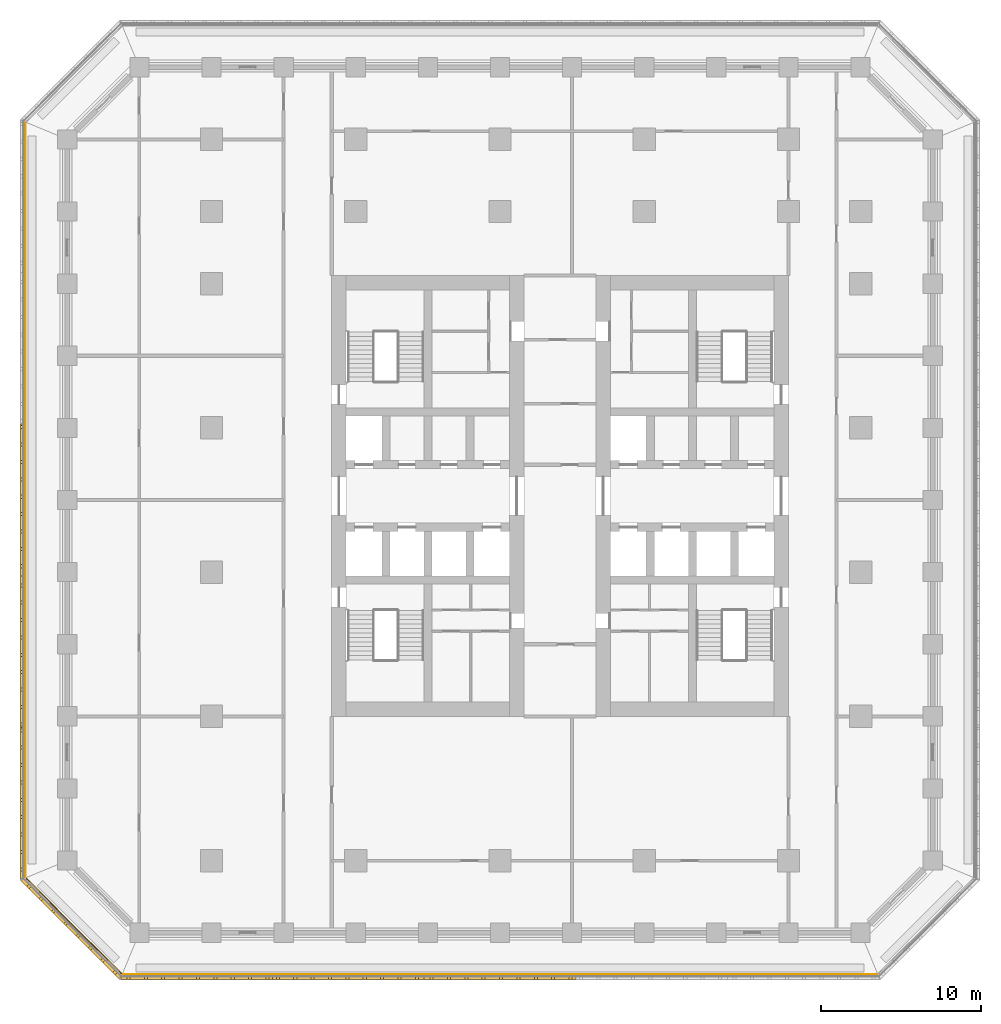
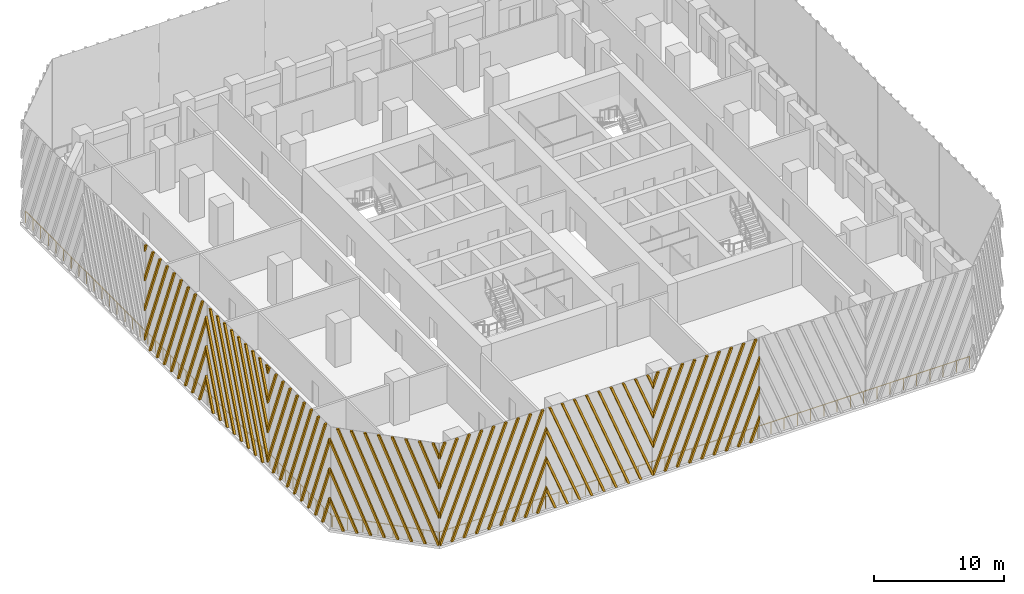
# One storey, part 8 of 17: 7 shading devices, 3 railings.
"""IFC4 building model written with IfcOpenShell, lengths in metres."""

from ifc_helpers import new_model, si_unit, direction, frame, origin, origin_2d, place, context, subcontext, project, spatial, polyline, circle, outline, extrude, source, transform, mapped, material, type_object, element, save


model = new_model("IFC4")

# Units and contexts
model_context = context("Model", 3, precision=1e-05, world=origin(), true_north=direction((0.0, 1.0)))
body_context = subcontext(model_context, "Body", "Model", "MODEL_VIEW")
ifc_project = project(units=[si_unit("LENGTHUNIT", "METRE"), si_unit("AREAUNIT", "SQUARE_METRE"), si_unit("VOLUMEUNIT", "CUBIC_METRE"), si_unit("PLANEANGLEUNIT", "RADIAN"), si_unit("MASSUNIT", "GRAM", prefix="KILO")], contexts=[model_context])

# Site, building, storey
site_placement = place(None, origin())
site = spatial("IfcSite", under=ifc_project, at=site_placement, CompositionType="ELEMENT")
building_placement = place(site_placement, origin())
building = spatial("IfcBuilding", under=site, at=building_placement, Name="Corbel Stack Research Tower", CompositionType="ELEMENT")
storey_placement = place(building_placement, frame((0.0, 0.0, 141.300048828125)))
storey = spatial("IfcBuildingStorey", under=building, at=storey_placement, Name="L32", CompositionType="ELEMENT", Elevation=141.300048828125)

# Railings
ifc_material_1 = material(Name="Powder-coated steel guard", Category="steel")
railing_type = type_object("IfcRailingType", Name="Steel and glass guard 1100", PredefinedType="GUARDRAIL", material=ifc_material_1)
railing_1_placement = place(storey_placement, frame((-23.50537109375, -25.10009765625, 0.0)))
element("IfcRailing", 1, at=railing_1_placement, inside=storey, type_object=railing_type, Name="Loggia guard L32 S", PredefinedType="GUARDRAIL", context=body_context, shape_type="SweptSolid", body=[
    extrude(circle(Radius=0.02392578125, at=origin_2d()), frame((0.0, 0.0, 1.076171875), z_axis=(1.0, 0.0, 0.0), x_axis=(0.0, 1.0, 0.0)), (0.0, 0.0, 1.0), 47.0107421875),
    extrude(circle(Radius=0.02099609375, at=origin_2d()), origin(), (0.0, 0.0, 1.0), 1.052001953125),
    extrude(circle(Radius=0.02099609375, at=origin_2d()), frame((1.17529296875, 0.0, 0.0)), (0.0, 0.0, 1.0), 1.052001953125),
    extrude(circle(Radius=0.02099609375, at=origin_2d()), frame((2.3505859375, 0.0, 0.0)), (0.0, 0.0, 1.0), 1.052001953125),
    extrude(circle(Radius=0.02099609375, at=origin_2d()), frame((3.52587890625, 0.0, 0.0)), (0.0, 0.0, 1.0), 1.052001953125),
    extrude(circle(Radius=0.02099609375, at=origin_2d()), frame((4.701171875, 0.0, 0.0)), (0.0, 0.0, 1.0), 1.052001953125),
    extrude(circle(Radius=0.02099609375, at=origin_2d()), frame((5.87646484375, 0.0, 0.0)), (0.0, 0.0, 1.0), 1.052001953125),
    extrude(circle(Radius=0.02099609375, at=origin_2d()), frame((7.051513671875, 0.0, 0.0)), (0.0, 0.0, 1.0), 1.052001953125),
    extrude(circle(Radius=0.02099609375, at=origin_2d()), frame((8.226806640625, 0.0, 0.0)), (0.0, 0.0, 1.0), 1.052001953125),
    extrude(circle(Radius=0.02099609375, at=origin_2d()), frame((9.402099609375, 0.0, 0.0)), (0.0, 0.0, 1.0), 1.052001953125),
    extrude(circle(Radius=0.02099609375, at=origin_2d()), frame((10.577392578125, 0.0, 0.0)), (0.0, 0.0, 1.0), 1.052001953125),
    extrude(circle(Radius=0.02099609375, at=origin_2d()), frame((11.752685546875, 0.0, 0.0)), (0.0, 0.0, 1.0), 1.052001953125),
    extrude(circle(Radius=0.02099609375, at=origin_2d()), frame((12.927978515625, 0.0, 0.0)), (0.0, 0.0, 1.0), 1.052001953125),
    extrude(circle(Radius=0.02099609375, at=origin_2d()), frame((14.103271484375, 0.0, 0.0)), (0.0, 0.0, 1.0), 1.052001953125),
    extrude(circle(Radius=0.02099609375, at=origin_2d()), frame((15.278564453125, 0.0, 0.0)), (0.0, 0.0, 1.0), 1.052001953125),
    extrude(circle(Radius=0.02099609375, at=origin_2d()), frame((16.453857421875, 0.0, 0.0)), (0.0, 0.0, 1.0), 1.052001953125),
    extrude(circle(Radius=0.02099609375, at=origin_2d()), frame((17.62890625, 0.0, 0.0)), (0.0, 0.0, 1.0), 1.052001953125),
    extrude(circle(Radius=0.02099609375, at=origin_2d()), frame((18.80419921875, 0.0, 0.0)), (0.0, 0.0, 1.0), 1.052001953125),
    extrude(circle(Radius=0.02099609375, at=origin_2d()), frame((19.9794921875, 0.0, 0.0)), (0.0, 0.0, 1.0), 1.052001953125),
    extrude(circle(Radius=0.02099609375, at=origin_2d()), frame((21.15478515625, 0.0, 0.0)), (0.0, 0.0, 1.0), 1.052001953125),
    extrude(circle(Radius=0.02099609375, at=origin_2d()), frame((22.330078125, 0.0, 0.0)), (0.0, 0.0, 1.0), 1.052001953125),
    extrude(circle(Radius=0.02099609375, at=origin_2d()), frame((23.50537109375, 0.0, 0.0)), (0.0, 0.0, 1.0), 1.052001953125),
    extrude(circle(Radius=0.02099609375, at=origin_2d()), frame((24.6806640625, 0.0, 0.0)), (0.0, 0.0, 1.0), 1.052001953125),
    extrude(circle(Radius=0.02099609375, at=origin_2d()), frame((25.85595703125, 0.0, 0.0)), (0.0, 0.0, 1.0), 1.052001953125),
    extrude(circle(Radius=0.02099609375, at=origin_2d()), frame((27.03125, 0.0, 0.0)), (0.0, 0.0, 1.0), 1.052001953125),
    extrude(circle(Radius=0.02099609375, at=origin_2d()), frame((28.20654296875, 0.0, 0.0)), (0.0, 0.0, 1.0), 1.052001953125),
    extrude(circle(Radius=0.02099609375, at=origin_2d()), frame((29.3818359375, 0.0, 0.0)), (0.0, 0.0, 1.0), 1.052001953125),
    extrude(circle(Radius=0.02099609375, at=origin_2d()), frame((30.556884765625, 0.0, 0.0)), (0.0, 0.0, 1.0), 1.052001953125),
    extrude(circle(Radius=0.02099609375, at=origin_2d()), frame((31.732177734375, 0.0, 0.0)), (0.0, 0.0, 1.0), 1.052001953125),
    extrude(circle(Radius=0.02099609375, at=origin_2d()), frame((32.907470703125, 0.0, 0.0)), (0.0, 0.0, 1.0), 1.052001953125),
    extrude(circle(Radius=0.02099609375, at=origin_2d()), frame((34.082763671875, 0.0, 0.0)), (0.0, 0.0, 1.0), 1.052001953125),
    extrude(circle(Radius=0.02099609375, at=origin_2d()), frame((35.258056640625, 0.0, 0.0)), (0.0, 0.0, 1.0), 1.052001953125),
    extrude(circle(Radius=0.02099609375, at=origin_2d()), frame((36.433349609375, 0.0, 0.0)), (0.0, 0.0, 1.0), 1.052001953125),
    extrude(circle(Radius=0.02099609375, at=origin_2d()), frame((37.608642578125, 0.0, 0.0)), (0.0, 0.0, 1.0), 1.052001953125),
    extrude(circle(Radius=0.02099609375, at=origin_2d()), frame((38.783935546875, 0.0, 0.0)), (0.0, 0.0, 1.0), 1.052001953125),
    extrude(circle(Radius=0.02099609375, at=origin_2d()), frame((39.959228515625, 0.0, 0.0)), (0.0, 0.0, 1.0), 1.052001953125),
    extrude(circle(Radius=0.02099609375, at=origin_2d()), frame((41.13427734375, 0.0, 0.0)), (0.0, 0.0, 1.0), 1.052001953125),
    extrude(circle(Radius=0.02099609375, at=origin_2d()), frame((42.3095703125, 0.0, 0.0)), (0.0, 0.0, 1.0), 1.052001953125),
    extrude(circle(Radius=0.02099609375, at=origin_2d()), frame((43.48486328125, 0.0, 0.0)), (0.0, 0.0, 1.0), 1.052001953125),
    extrude(circle(Radius=0.02099609375, at=origin_2d()), frame((44.66015625, 0.0, 0.0)), (0.0, 0.0, 1.0), 1.052001953125),
    extrude(circle(Radius=0.02099609375, at=origin_2d()), frame((45.83544921875, 0.0, 0.0)), (0.0, 0.0, 1.0), 1.052001953125),
    extrude(circle(Radius=0.02099609375, at=origin_2d()), frame((47.0107421875, 0.0, 0.0)), (0.0, 0.0, 1.0), 1.052001953125),
])
railing_2_placement = place(storey_placement, frame((-29.60009765625, 28.00537109375, 0.0)))
element("IfcRailing", 2, at=railing_2_placement, inside=storey, type_object=railing_type, Name="Loggia guard L32 W", PredefinedType="GUARDRAIL", context=body_context, shape_type="SweptSolid", body=[
    extrude(circle(Radius=0.02392578125, at=origin_2d()), frame((0.0, 0.0, 1.076171875), z_axis=(0.0, -1.0, 0.0), x_axis=(1.0, 0.0, 0.0)), (0.0, 0.0, 1.0), 47.0107421875),
    extrude(circle(Radius=0.02099609375, at=origin_2d()), origin(), (0.0, 0.0, 1.0), 1.052001953125),
    extrude(circle(Radius=0.02099609375, at=origin_2d()), frame((0.0, -1.17529296875, 0.0)), (0.0, 0.0, 1.0), 1.052001953125),
    extrude(circle(Radius=0.02099609375, at=origin_2d()), frame((0.0, -2.3505859375, 0.0)), (0.0, 0.0, 1.0), 1.052001953125),
    extrude(circle(Radius=0.02099609375, at=origin_2d()), frame((0.0, -3.52587890625, 0.0)), (0.0, 0.0, 1.0), 1.052001953125),
    extrude(circle(Radius=0.02099609375, at=origin_2d()), frame((0.0, -4.701171875, 0.0)), (0.0, 0.0, 1.0), 1.052001953125),
    extrude(circle(Radius=0.02099609375, at=origin_2d()), frame((0.0, -5.87646484375, 0.0)), (0.0, 0.0, 1.0), 1.052001953125),
    extrude(circle(Radius=0.02099609375, at=origin_2d()), frame((0.0, -7.051513671875, 0.0)), (0.0, 0.0, 1.0), 1.052001953125),
    extrude(circle(Radius=0.02099609375, at=origin_2d()), frame((0.0, -8.226806640625, 0.0)), (0.0, 0.0, 1.0), 1.052001953125),
    extrude(circle(Radius=0.02099609375, at=origin_2d()), frame((0.0, -9.402099609375, 0.0)), (0.0, 0.0, 1.0), 1.052001953125),
    extrude(circle(Radius=0.02099609375, at=origin_2d()), frame((0.0, -10.577392578125, 0.0)), (0.0, 0.0, 1.0), 1.052001953125),
    extrude(circle(Radius=0.02099609375, at=origin_2d()), frame((0.0, -11.752685546875, 0.0)), (0.0, 0.0, 1.0), 1.052001953125),
    extrude(circle(Radius=0.02099609375, at=origin_2d()), frame((0.0, -12.927978515625, 0.0)), (0.0, 0.0, 1.0), 1.052001953125),
    extrude(circle(Radius=0.02099609375, at=origin_2d()), frame((0.0, -14.103271484375, 0.0)), (0.0, 0.0, 1.0), 1.052001953125),
    extrude(circle(Radius=0.02099609375, at=origin_2d()), frame((0.0, -15.278564453125, 0.0)), (0.0, 0.0, 1.0), 1.052001953125),
    extrude(circle(Radius=0.02099609375, at=origin_2d()), frame((0.0, -16.453857421875, 0.0)), (0.0, 0.0, 1.0), 1.052001953125),
    extrude(circle(Radius=0.02099609375, at=origin_2d()), frame((0.0, -17.62890625, 0.0)), (0.0, 0.0, 1.0), 1.052001953125),
    extrude(circle(Radius=0.02099609375, at=origin_2d()), frame((0.0, -18.80419921875, 0.0)), (0.0, 0.0, 1.0), 1.052001953125),
    extrude(circle(Radius=0.02099609375, at=origin_2d()), frame((0.0, -19.9794921875, 0.0)), (0.0, 0.0, 1.0), 1.052001953125),
    extrude(circle(Radius=0.02099609375, at=origin_2d()), frame((0.0, -21.15478515625, 0.0)), (0.0, 0.0, 1.0), 1.052001953125),
    extrude(circle(Radius=0.02099609375, at=origin_2d()), frame((0.0, -22.330078125, 0.0)), (0.0, 0.0, 1.0), 1.052001953125),
    extrude(circle(Radius=0.02099609375, at=origin_2d()), frame((0.0, -23.50537109375, 0.0)), (0.0, 0.0, 1.0), 1.052001953125),
    extrude(circle(Radius=0.02099609375, at=origin_2d()), frame((0.0, -24.6806640625, 0.0)), (0.0, 0.0, 1.0), 1.052001953125),
    extrude(circle(Radius=0.02099609375, at=origin_2d()), frame((0.0, -25.85595703125, 0.0)), (0.0, 0.0, 1.0), 1.052001953125),
    extrude(circle(Radius=0.02099609375, at=origin_2d()), frame((0.0, -27.03125, 0.0)), (0.0, 0.0, 1.0), 1.052001953125),
    extrude(circle(Radius=0.02099609375, at=origin_2d()), frame((0.0, -28.20654296875, 0.0)), (0.0, 0.0, 1.0), 1.052001953125),
    extrude(circle(Radius=0.02099609375, at=origin_2d()), frame((0.0, -29.3818359375, 0.0)), (0.0, 0.0, 1.0), 1.052001953125),
    extrude(circle(Radius=0.02099609375, at=origin_2d()), frame((0.0, -30.556884765625, 0.0)), (0.0, 0.0, 1.0), 1.052001953125),
    extrude(circle(Radius=0.02099609375, at=origin_2d()), frame((0.0, -31.732177734375, 0.0)), (0.0, 0.0, 1.0), 1.052001953125),
    extrude(circle(Radius=0.02099609375, at=origin_2d()), frame((0.0, -32.907470703125, 0.0)), (0.0, 0.0, 1.0), 1.052001953125),
    extrude(circle(Radius=0.02099609375, at=origin_2d()), frame((0.0, -34.082763671875, 0.0)), (0.0, 0.0, 1.0), 1.052001953125),
    extrude(circle(Radius=0.02099609375, at=origin_2d()), frame((0.0, -35.258056640625, 0.0)), (0.0, 0.0, 1.0), 1.052001953125),
    extrude(circle(Radius=0.02099609375, at=origin_2d()), frame((0.0, -36.433349609375, 0.0)), (0.0, 0.0, 1.0), 1.052001953125),
    extrude(circle(Radius=0.02099609375, at=origin_2d()), frame((0.0, -37.608642578125, 0.0)), (0.0, 0.0, 1.0), 1.052001953125),
    extrude(circle(Radius=0.02099609375, at=origin_2d()), frame((0.0, -38.783935546875, 0.0)), (0.0, 0.0, 1.0), 1.052001953125),
    extrude(circle(Radius=0.02099609375, at=origin_2d()), frame((0.0, -39.959228515625, 0.0)), (0.0, 0.0, 1.0), 1.052001953125),
    extrude(circle(Radius=0.02099609375, at=origin_2d()), frame((0.0, -41.13427734375, 0.0)), (0.0, 0.0, 1.0), 1.052001953125),
    extrude(circle(Radius=0.02099609375, at=origin_2d()), frame((0.0, -42.3095703125, 0.0)), (0.0, 0.0, 1.0), 1.052001953125),
    extrude(circle(Radius=0.02099609375, at=origin_2d()), frame((0.0, -43.48486328125, 0.0)), (0.0, 0.0, 1.0), 1.052001953125),
    extrude(circle(Radius=0.02099609375, at=origin_2d()), frame((0.0, -44.66015625, 0.0)), (0.0, 0.0, 1.0), 1.052001953125),
    extrude(circle(Radius=0.02099609375, at=origin_2d()), frame((0.0, -45.83544921875, 0.0)), (0.0, 0.0, 1.0), 1.052001953125),
    extrude(circle(Radius=0.02099609375, at=origin_2d()), frame((0.0, -47.0107421875, 0.0)), (0.0, 0.0, 1.0), 1.052001953125),
])
railing_3_placement = place(storey_placement, frame((-29.54931640625, -19.127685546875, 0.0)))
element("IfcRailing", 3, at=railing_3_placement, inside=storey, type_object=railing_type, Name="Loggia guard L32 SW", PredefinedType="GUARDRAIL", context=body_context, shape_type="SweptSolid", body=[
    extrude(circle(Radius=0.02392578125, at=origin_2d()), frame((0.0, 0.0, 1.076171875), z_axis=(0.707106781187, -0.707106781187, 0.0), x_axis=(0.707106781187, 0.707106781187, 0.0)), (0.0, 0.0, 1.0), 8.37451171875),
    extrude(circle(Radius=0.02099609375, at=origin_2d()), origin(), (0.0, 0.0, 1.0), 1.052001953125),
    extrude(circle(Radius=0.02099609375, at=origin_2d()), frame((0.845947265625, -0.845947265625, 0.0)), (0.0, 0.0, 1.0), 1.052001953125),
    extrude(circle(Radius=0.02099609375, at=origin_2d()), frame((1.69189453125, -1.69189453125, 0.0)), (0.0, 0.0, 1.0), 1.052001953125),
    extrude(circle(Radius=0.02099609375, at=origin_2d()), frame((2.537841796875, -2.537841796875, 0.0)), (0.0, 0.0, 1.0), 1.052001953125),
    extrude(circle(Radius=0.02099609375, at=origin_2d()), frame((3.3837890625, -3.3837890625, 0.0)), (0.0, 0.0, 1.0), 1.052001953125),
    extrude(circle(Radius=0.02099609375, at=origin_2d()), frame((4.229736328125, -4.229736328125, 0.0)), (0.0, 0.0, 1.0), 1.052001953125),
    extrude(circle(Radius=0.02099609375, at=origin_2d()), frame((5.07568359375, -5.07568359375, 0.0)), (0.0, 0.0, 1.0), 1.052001953125),
    extrude(circle(Radius=0.02099609375, at=origin_2d()), frame((5.921630859375, -5.921630859375, 0.0)), (0.0, 0.0, 1.0), 1.052001953125),
])

# Shading devices
ifc_material_2 = material(Name="Precast terracotta", Category="masonry")
shading_device_type = type_object("IfcShadingDeviceType", Name="Terracotta screen panel", PredefinedType="USERDEFINED", material=ifc_material_2)
shared_shape_1 = source(origin(), body_context, "Body", "SweptSolid", [
    extrude(outline(polyline([(0.55126953125, 9.5), (0.361083984375, 9.5), (0.0, 8.5751953125), (0.0, 8.088623046875), (0.55126953125, 9.5)])), frame((0.0, 0.0, 0.0), z_axis=(0.0, -1.0, 0.0), x_axis=(1.0, 0.0, 0.0)), (0.0, 0.0, 1.0), 0.179931640625),
    extrude(outline(polyline([(1.635986328125, 9.5), (1.44580078125, 9.5), (0.0, 5.7978515625), (0.0, 5.311279296875), (1.635986328125, 9.5)])), frame((0.0, 0.0, 0.0), z_axis=(0.0, -1.0, 0.0), x_axis=(1.0, 0.0, 0.0)), (0.0, 0.0, 1.0), 0.179931640625),
    extrude(outline(polyline([(2.720458984375, 9.5), (2.530517578125, 9.5), (0.0, 3.0205078125), (0.0, 2.533935546875), (2.720458984375, 9.5)])), frame((0.0, 0.0, 0.0), z_axis=(0.0, -1.0, 0.0), x_axis=(1.0, 0.0, 0.0)), (0.0, 0.0, 1.0), 0.179931640625),
    extrude(outline(polyline([(0.094970703125, 0.0), (3.80517578125, 9.5), (3.615234375, 9.5), (0.0, 0.2431640625), (0.0, 0.0), (0.094970703125, 0.0)])), frame((0.0, 0.0, 0.0), z_axis=(0.0, -1.0, 0.0), x_axis=(1.0, 0.0, 0.0)), (0.0, 0.0, 1.0), 0.179931640625),
    extrude(outline(polyline([(1.1796875, 0.0), (4.889892578125, 9.5), (4.699951171875, 9.5), (0.98974609375, 0.0), (1.1796875, 0.0)])), frame((0.0, 0.0, 0.0), z_axis=(0.0, -1.0, 0.0), x_axis=(1.0, 0.0, 0.0)), (0.0, 0.0, 1.0), 0.179931640625),
    extrude(outline(polyline([(2.264404296875, 0.0), (5.974609375, 9.5), (5.784423828125, 9.5), (2.07421875, 0.0), (2.264404296875, 0.0)])), frame((0.0, 0.0, 0.0), z_axis=(0.0, -1.0, 0.0), x_axis=(1.0, 0.0, 0.0)), (0.0, 0.0, 1.0), 0.179931640625),
    extrude(outline(polyline([(3.34912109375, 0.0), (7.05908203125, 9.5), (6.869140625, 9.5), (3.158935546875, 0.0), (3.34912109375, 0.0)])), frame((0.0, 0.0, 0.0), z_axis=(0.0, -1.0, 0.0), x_axis=(1.0, 0.0, 0.0)), (0.0, 0.0, 1.0), 0.179931640625),
    extrude(outline(polyline([(4.43359375, 0.0), (8.143798828125, 9.5), (7.953857421875, 9.5), (4.24365234375, 0.0), (4.43359375, 0.0)])), frame((0.0, 0.0, 0.0), z_axis=(0.0, -1.0, 0.0), x_axis=(1.0, 0.0, 0.0)), (0.0, 0.0, 1.0), 0.179931640625),
    extrude(outline(polyline([(5.518310546875, 0.0), (9.228515625, 9.5), (9.03857421875, 9.5), (5.328369140625, 0.0), (5.518310546875, 0.0)])), frame((0.0, 0.0, 0.0), z_axis=(0.0, -1.0, 0.0), x_axis=(1.0, 0.0, 0.0)), (0.0, 0.0, 1.0), 0.179931640625),
    extrude(outline(polyline([(6.60302734375, 0.0), (9.45556640625, 7.30419921875), (9.45556640625, 7.790771484375), (6.4130859375, 0.0), (6.60302734375, 0.0)])), frame((0.0, 0.0, 0.0), z_axis=(0.0, -1.0, 0.0), x_axis=(1.0, 0.0, 0.0)), (0.0, 0.0, 1.0), 0.179931640625),
    extrude(outline(polyline([(7.687744140625, 0.0), (9.45556640625, 4.52685546875), (9.45556640625, 5.013427734375), (7.497802734375, 0.0), (7.687744140625, 0.0)])), frame((0.0, 0.0, 0.0), z_axis=(0.0, -1.0, 0.0), x_axis=(1.0, 0.0, 0.0)), (0.0, 0.0, 1.0), 0.179931640625),
    extrude(outline(polyline([(8.772216796875, 0.0), (9.45556640625, 1.74951171875), (9.45556640625, 2.236083984375), (8.582275390625, 0.0), (8.772216796875, 0.0)])), frame((0.0, 0.0, 0.0), z_axis=(0.0, -1.0, 0.0), x_axis=(1.0, 0.0, 0.0)), (0.0, 0.0, 1.0), 0.179931640625),
])
for number, where, z_axis, x_axis, name in (
    (4, (-23.63916015625, -25.25, 0.0), (0.0, 0.0, 1.0), (1.0, 0.0, 0.0), "Terracotta screen L32 S1"),
    (5, (-4.727783203125, -25.25, 0.0), (0.0, 0.0, 1.0), (1.0, 0.0, 0.0), "Terracotta screen L32 S3"),
):
    element("IfcShadingDevice", number, at=place(storey_placement, frame(where, z_axis=z_axis, x_axis=x_axis)), inside=storey, type_object=shading_device_type, Name=name, ObjectType="SCREEN", PredefinedType="USERDEFINED", context=body_context, shape_type="MappedRepresentation", body=[
        mapped(shared_shape_1, transform((0.0, 0.0, 0.0))),
    ])
shared_shape_2 = source(origin(), body_context, "Body", "SweptSolid", [
    extrude(outline(polyline([(0.873291015625, 0.0), (0.0, 2.236083984375), (0.0, 1.74951171875), (0.683349609375, 0.0), (0.873291015625, 0.0)])), frame((0.0, 0.0, 0.0), z_axis=(0.0, -1.0, 0.0), x_axis=(1.0, 0.0, 0.0)), (0.0, 0.0, 1.0), 0.179931640625),
    extrude(outline(polyline([(1.9580078125, 0.0), (0.0, 5.013427734375), (0.0, 4.52685546875), (1.76806640625, 0.0), (1.9580078125, 0.0)])), frame((0.0, 0.0, 0.0), z_axis=(0.0, -1.0, 0.0), x_axis=(1.0, 0.0, 0.0)), (0.0, 0.0, 1.0), 0.179931640625),
    extrude(outline(polyline([(3.04248046875, 0.0), (0.0, 7.790771484375), (0.0, 7.30419921875), (2.8525390625, 0.0), (3.04248046875, 0.0)])), frame((0.0, 0.0, 0.0), z_axis=(0.0, -1.0, 0.0), x_axis=(1.0, 0.0, 0.0)), (0.0, 0.0, 1.0), 0.179931640625),
    extrude(outline(polyline([(4.127197265625, 0.0), (0.4169921875, 9.5), (0.22705078125, 9.5), (3.937255859375, 0.0), (4.127197265625, 0.0)])), frame((0.0, 0.0, 0.0), z_axis=(0.0, -1.0, 0.0), x_axis=(1.0, 0.0, 0.0)), (0.0, 0.0, 1.0), 0.179931640625),
    extrude(outline(polyline([(5.2119140625, 0.0), (1.501708984375, 9.5), (1.311767578125, 9.5), (5.02197265625, 0.0), (5.2119140625, 0.0)])), frame((0.0, 0.0, 0.0), z_axis=(0.0, -1.0, 0.0), x_axis=(1.0, 0.0, 0.0)), (0.0, 0.0, 1.0), 0.179931640625),
    extrude(outline(polyline([(6.296630859375, 0.0), (2.58642578125, 9.5), (2.396484375, 9.5), (6.106689453125, 0.0), (6.296630859375, 0.0)])), frame((0.0, 0.0, 0.0), z_axis=(0.0, -1.0, 0.0), x_axis=(1.0, 0.0, 0.0)), (0.0, 0.0, 1.0), 0.179931640625),
    extrude(outline(polyline([(7.38134765625, 0.0), (3.671142578125, 9.5), (3.481201171875, 9.5), (7.19140625, 0.0), (7.38134765625, 0.0)])), frame((0.0, 0.0, 0.0), z_axis=(0.0, -1.0, 0.0), x_axis=(1.0, 0.0, 0.0)), (0.0, 0.0, 1.0), 0.179931640625),
    extrude(outline(polyline([(8.466064453125, 0.0), (4.755859375, 9.5), (4.56591796875, 9.5), (8.27587890625, 0.0), (8.466064453125, 0.0)])), frame((0.0, 0.0, 0.0), z_axis=(0.0, -1.0, 0.0), x_axis=(1.0, 0.0, 0.0)), (0.0, 0.0, 1.0), 0.179931640625),
    extrude(outline(polyline([(9.45556640625, 0.0), (9.45556640625, 0.2431640625), (5.84033203125, 9.5), (5.650390625, 9.5), (9.360595703125, 0.0), (9.45556640625, 0.0)])), frame((0.0, 0.0, 0.0), z_axis=(0.0, -1.0, 0.0), x_axis=(1.0, 0.0, 0.0)), (0.0, 0.0, 1.0), 0.179931640625),
    extrude(outline(polyline([(6.925048828125, 9.5), (6.735107421875, 9.5), (9.45556640625, 2.533935546875), (9.45556640625, 3.0205078125), (6.925048828125, 9.5)])), frame((0.0, 0.0, 0.0), z_axis=(0.0, -1.0, 0.0), x_axis=(1.0, 0.0, 0.0)), (0.0, 0.0, 1.0), 0.179931640625),
    extrude(outline(polyline([(8.009765625, 9.5), (7.81982421875, 9.5), (9.45556640625, 5.311279296875), (9.45556640625, 5.7978515625), (8.009765625, 9.5)])), frame((0.0, 0.0, 0.0), z_axis=(0.0, -1.0, 0.0), x_axis=(1.0, 0.0, 0.0)), (0.0, 0.0, 1.0), 0.179931640625),
    extrude(outline(polyline([(9.094482421875, 9.5), (8.904296875, 9.5), (9.45556640625, 8.088623046875), (9.45556640625, 8.5751953125), (9.094482421875, 9.5)])), frame((0.0, 0.0, 0.0), z_axis=(0.0, -1.0, 0.0), x_axis=(1.0, 0.0, 0.0)), (0.0, 0.0, 1.0), 0.179931640625),
])
shading_device_1_placement = place(storey_placement, frame((-14.18359375, -25.25, 0.0), z_axis=(0.0, 0.0, 1.0), x_axis=(1.0, 0.0, 0.0)))
element("IfcShadingDevice", 6, at=shading_device_1_placement, inside=storey, type_object=shading_device_type, Name="Terracotta screen L32 S2", ObjectType="SCREEN", PredefinedType="USERDEFINED", context=body_context, shape_type="MappedRepresentation", body=[
    mapped(shared_shape_2, transform((0.0, 0.0, 0.0))),
])
shared_shape_3 = source(origin(), body_context, "Body", "SweptSolid", [
    extrude(outline(polyline([(0.280029296875, 9.5), (0.090087890625, 9.5), (0.0, 9.26953125), (0.0, 8.782958984375), (0.280029296875, 9.5)])), frame((0.0, 0.0, 0.0), z_axis=(0.0, -1.0, 0.0), x_axis=(1.0, 0.0, 0.0)), (0.0, 0.0, 1.0), 0.179931640625),
    extrude(outline(polyline([(1.36474609375, 9.5), (1.1748046875, 9.5), (0.0, 6.4921875), (0.0, 6.005615234375), (1.36474609375, 9.5)])), frame((0.0, 0.0, 0.0), z_axis=(0.0, -1.0, 0.0), x_axis=(1.0, 0.0, 0.0)), (0.0, 0.0, 1.0), 0.179931640625),
    extrude(outline(polyline([(2.449462890625, 9.5), (2.259521484375, 9.5), (0.0, 3.71484375), (0.0, 3.228515625), (2.449462890625, 9.5)])), frame((0.0, 0.0, 0.0), z_axis=(0.0, -1.0, 0.0), x_axis=(1.0, 0.0, 0.0)), (0.0, 0.0, 1.0), 0.179931640625),
    extrude(outline(polyline([(3.533935546875, 9.5), (3.343994140625, 9.5), (0.0, 0.9375), (0.0, 0.451171875), (3.533935546875, 9.5)])), frame((0.0, 0.0, 0.0), z_axis=(0.0, -1.0, 0.0), x_axis=(1.0, 0.0, 0.0)), (0.0, 0.0, 1.0), 0.179931640625),
    extrude(outline(polyline([(0.908447265625, 0.0), (4.61865234375, 9.5), (4.4287109375, 9.5), (0.718505859375, 0.0), (0.908447265625, 0.0)])), frame((0.0, 0.0, 0.0), z_axis=(0.0, -1.0, 0.0), x_axis=(1.0, 0.0, 0.0)), (0.0, 0.0, 1.0), 0.179931640625),
    extrude(outline(polyline([(1.9931640625, 0.0), (5.703369140625, 9.5), (5.513427734375, 9.5), (1.80322265625, 0.0), (1.9931640625, 0.0)])), frame((0.0, 0.0, 0.0), z_axis=(0.0, -1.0, 0.0), x_axis=(1.0, 0.0, 0.0)), (0.0, 0.0, 1.0), 0.179931640625),
    extrude(outline(polyline([(3.077880859375, 0.0), (6.7880859375, 9.5), (6.597900390625, 9.5), (2.8876953125, 0.0), (3.077880859375, 0.0)])), frame((0.0, 0.0, 0.0), z_axis=(0.0, -1.0, 0.0), x_axis=(1.0, 0.0, 0.0)), (0.0, 0.0, 1.0), 0.179931640625),
    extrude(outline(polyline([(4.16259765625, 0.0), (7.872802734375, 9.5), (7.6826171875, 9.5), (3.972412109375, 0.0), (4.16259765625, 0.0)])), frame((0.0, 0.0, 0.0), z_axis=(0.0, -1.0, 0.0), x_axis=(1.0, 0.0, 0.0)), (0.0, 0.0, 1.0), 0.179931640625),
    extrude(outline(polyline([(5.247314453125, 0.0), (8.95751953125, 9.5), (8.767333984375, 9.5), (5.05712890625, 0.0), (5.247314453125, 0.0)])), frame((0.0, 0.0, 0.0), z_axis=(0.0, -1.0, 0.0), x_axis=(1.0, 0.0, 0.0)), (0.0, 0.0, 1.0), 0.179931640625),
    extrude(outline(polyline([(6.331787109375, 0.0), (9.45556640625, 7.99853515625), (9.45556640625, 8.485107421875), (6.141845703125, 0.0), (6.331787109375, 0.0)])), frame((0.0, 0.0, 0.0), z_axis=(0.0, -1.0, 0.0), x_axis=(1.0, 0.0, 0.0)), (0.0, 0.0, 1.0), 0.179931640625),
    extrude(outline(polyline([(7.41650390625, 0.0), (9.45556640625, 5.22119140625), (9.45556640625, 5.707763671875), (7.2265625, 0.0), (7.41650390625, 0.0)])), frame((0.0, 0.0, 0.0), z_axis=(0.0, -1.0, 0.0), x_axis=(1.0, 0.0, 0.0)), (0.0, 0.0, 1.0), 0.179931640625),
    extrude(outline(polyline([(8.501220703125, 0.0), (9.45556640625, 2.44384765625), (9.45556640625, 2.930419921875), (8.311279296875, 0.0), (8.501220703125, 0.0)])), frame((0.0, 0.0, 0.0), z_axis=(0.0, -1.0, 0.0), x_axis=(1.0, 0.0, 0.0)), (0.0, 0.0, 1.0), 0.179931640625),
])
for number, where, z_axis, x_axis, name in (
    (7, (-29.75, 9.227783203125, 0.0), (0.0, 0.0, 1.0), (0.0, -1.0, 0.0), "Terracotta screen L32 W3"),
    (8, (-29.75, -9.68359375, 0.0), (0.0, 0.0, 1.0), (0.0, -1.0, 0.0), "Terracotta screen L32 W5"),
):
    element("IfcShadingDevice", number, at=place(storey_placement, frame(where, z_axis=z_axis, x_axis=x_axis)), inside=storey, type_object=shading_device_type, Name=name, ObjectType="SCREEN", PredefinedType="USERDEFINED", context=body_context, shape_type="MappedRepresentation", body=[
        mapped(shared_shape_3, transform((0.0, 0.0, 0.0))),
    ])
shared_shape_4 = source(origin(), body_context, "Body", "SweptSolid", [
    extrude(outline(polyline([(1.14453125, 0.0), (0.0, 2.930419921875), (0.0, 2.44384765625), (0.95458984375, 0.0), (1.14453125, 0.0)])), frame((0.0, 0.0, 0.0), z_axis=(0.0, -1.0, 0.0), x_axis=(1.0, 0.0, 0.0)), (0.0, 0.0, 1.0), 0.179931640625),
    extrude(outline(polyline([(2.22900390625, 0.0), (0.0, 5.707763671875), (0.0, 5.22119140625), (2.0390625, 0.0), (2.22900390625, 0.0)])), frame((0.0, 0.0, 0.0), z_axis=(0.0, -1.0, 0.0), x_axis=(1.0, 0.0, 0.0)), (0.0, 0.0, 1.0), 0.179931640625),
    extrude(outline(polyline([(3.313720703125, 0.0), (0.0, 8.485107421875), (0.0, 7.99853515625), (3.123779296875, 0.0), (3.313720703125, 0.0)])), frame((0.0, 0.0, 0.0), z_axis=(0.0, -1.0, 0.0), x_axis=(1.0, 0.0, 0.0)), (0.0, 0.0, 1.0), 0.179931640625),
    extrude(outline(polyline([(4.3984375, 0.0), (0.688232421875, 9.5), (0.498291015625, 9.5), (4.20849609375, 0.0), (4.3984375, 0.0)])), frame((0.0, 0.0, 0.0), z_axis=(0.0, -1.0, 0.0), x_axis=(1.0, 0.0, 0.0)), (0.0, 0.0, 1.0), 0.179931640625),
    extrude(outline(polyline([(5.483154296875, 0.0), (1.77294921875, 9.5), (1.5830078125, 9.5), (5.293212890625, 0.0), (5.483154296875, 0.0)])), frame((0.0, 0.0, 0.0), z_axis=(0.0, -1.0, 0.0), x_axis=(1.0, 0.0, 0.0)), (0.0, 0.0, 1.0), 0.179931640625),
    extrude(outline(polyline([(6.56787109375, 0.0), (2.857666015625, 9.5), (2.66748046875, 9.5), (6.377685546875, 0.0), (6.56787109375, 0.0)])), frame((0.0, 0.0, 0.0), z_axis=(0.0, -1.0, 0.0), x_axis=(1.0, 0.0, 0.0)), (0.0, 0.0, 1.0), 0.179931640625),
    extrude(outline(polyline([(7.652587890625, 0.0), (3.9423828125, 9.5), (3.752197265625, 9.5), (7.46240234375, 0.0), (7.652587890625, 0.0)])), frame((0.0, 0.0, 0.0), z_axis=(0.0, -1.0, 0.0), x_axis=(1.0, 0.0, 0.0)), (0.0, 0.0, 1.0), 0.179931640625),
    extrude(outline(polyline([(8.737060546875, 0.0), (5.02685546875, 9.5), (4.8369140625, 9.5), (8.547119140625, 0.0), (8.737060546875, 0.0)])), frame((0.0, 0.0, 0.0), z_axis=(0.0, -1.0, 0.0), x_axis=(1.0, 0.0, 0.0)), (0.0, 0.0, 1.0), 0.179931640625),
    extrude(outline(polyline([(6.111572265625, 9.5), (5.921630859375, 9.5), (9.45556640625, 0.451171875), (9.45556640625, 0.9375), (6.111572265625, 9.5)])), frame((0.0, 0.0, 0.0), z_axis=(0.0, -1.0, 0.0), x_axis=(1.0, 0.0, 0.0)), (0.0, 0.0, 1.0), 0.179931640625),
    extrude(outline(polyline([(7.1962890625, 9.5), (7.00634765625, 9.5), (9.45556640625, 3.228515625), (9.45556640625, 3.71484375), (7.1962890625, 9.5)])), frame((0.0, 0.0, 0.0), z_axis=(0.0, -1.0, 0.0), x_axis=(1.0, 0.0, 0.0)), (0.0, 0.0, 1.0), 0.179931640625),
    extrude(outline(polyline([(8.281005859375, 9.5), (8.0908203125, 9.5), (9.45556640625, 6.005615234375), (9.45556640625, 6.4921875), (8.281005859375, 9.5)])), frame((0.0, 0.0, 0.0), z_axis=(0.0, -1.0, 0.0), x_axis=(1.0, 0.0, 0.0)), (0.0, 0.0, 1.0), 0.179931640625),
    extrude(outline(polyline([(9.365478515625, 9.5), (9.175537109375, 9.5), (9.45556640625, 8.782958984375), (9.45556640625, 9.26953125), (9.365478515625, 9.5)])), frame((0.0, 0.0, 0.0), z_axis=(0.0, -1.0, 0.0), x_axis=(1.0, 0.0, 0.0)), (0.0, 0.0, 1.0), 0.179931640625),
])
shading_device_2_placement = place(storey_placement, frame((-29.75, -0.227783203125, 0.0), z_axis=(0.0, 0.0, 1.0), x_axis=(0.0, -1.0, 0.0)))
element("IfcShadingDevice", 9, at=shading_device_2_placement, inside=storey, type_object=shading_device_type, Name="Terracotta screen L32 W4", ObjectType="SCREEN", PredefinedType="USERDEFINED", context=body_context, shape_type="MappedRepresentation", body=[
    mapped(shared_shape_4, transform((0.0, 0.0, 0.0))),
])
shared_shape_5 = source(origin(), body_context, "Body", "SweptSolid", [
    extrude(outline(polyline([(1.14453125, 0.0), (0.0, 2.930419921875), (0.0, 2.44384765625), (0.95458984375, 0.0), (1.14453125, 0.0)])), frame((0.0, 0.0, 0.0), z_axis=(0.0, -1.0, 0.0), x_axis=(1.0, 0.0, 0.0)), (0.0, 0.0, 1.0), 0.179931640625),
    extrude(outline(polyline([(2.22900390625, 0.0), (0.0, 5.707763671875), (0.0, 5.22119140625), (2.0390625, 0.0), (2.22900390625, 0.0)])), frame((0.0, 0.0, 0.0), z_axis=(0.0, -1.0, 0.0), x_axis=(1.0, 0.0, 0.0)), (0.0, 0.0, 1.0), 0.179931640625),
    extrude(outline(polyline([(3.313720703125, 0.0), (0.0, 8.485107421875), (0.0, 7.99853515625), (3.123779296875, 0.0), (3.313720703125, 0.0)])), frame((0.0, 0.0, 0.0), z_axis=(0.0, -1.0, 0.0), x_axis=(1.0, 0.0, 0.0)), (0.0, 0.0, 1.0), 0.179931640625),
    extrude(outline(polyline([(4.3984375, 0.0), (0.688232421875, 9.5), (0.498291015625, 9.5), (4.20849609375, 0.0), (4.3984375, 0.0)])), frame((0.0, 0.0, 0.0), z_axis=(0.0, -1.0, 0.0), x_axis=(1.0, 0.0, 0.0)), (0.0, 0.0, 1.0), 0.179931640625),
    extrude(outline(polyline([(5.483154296875, 0.0), (1.77294921875, 9.5), (1.5830078125, 9.5), (5.293212890625, 0.0), (5.483154296875, 0.0)])), frame((0.0, 0.0, 0.0), z_axis=(0.0, -1.0, 0.0), x_axis=(1.0, 0.0, 0.0)), (0.0, 0.0, 1.0), 0.179931640625),
    extrude(outline(polyline([(6.56787109375, 0.0), (2.857666015625, 9.5), (2.66748046875, 9.5), (6.377685546875, 0.0), (6.56787109375, 0.0)])), frame((0.0, 0.0, 0.0), z_axis=(0.0, -1.0, 0.0), x_axis=(1.0, 0.0, 0.0)), (0.0, 0.0, 1.0), 0.179931640625),
    extrude(outline(polyline([(7.652587890625, 0.0), (3.9423828125, 9.5), (3.752197265625, 9.5), (7.46240234375, 0.0), (7.652587890625, 0.0)])), frame((0.0, 0.0, 0.0), z_axis=(0.0, -1.0, 0.0), x_axis=(1.0, 0.0, 0.0)), (0.0, 0.0, 1.0), 0.179931640625),
    extrude(outline(polyline([(8.64208984375, 0.0), (8.64208984375, 0.2431640625), (5.02685546875, 9.5), (4.8369140625, 9.5), (8.547119140625, 0.0), (8.64208984375, 0.0)])), frame((0.0, 0.0, 0.0), z_axis=(0.0, -1.0, 0.0), x_axis=(1.0, 0.0, 0.0)), (0.0, 0.0, 1.0), 0.179931640625),
    extrude(outline(polyline([(6.111572265625, 9.5), (5.921630859375, 9.5), (8.64208984375, 2.533935546875), (8.64208984375, 3.0205078125), (6.111572265625, 9.5)])), frame((0.0, 0.0, 0.0), z_axis=(0.0, -1.0, 0.0), x_axis=(1.0, 0.0, 0.0)), (0.0, 0.0, 1.0), 0.179931640625),
    extrude(outline(polyline([(7.1962890625, 9.5), (7.00634765625, 9.5), (8.64208984375, 5.311279296875), (8.64208984375, 5.7978515625), (7.1962890625, 9.5)])), frame((0.0, 0.0, 0.0), z_axis=(0.0, -1.0, 0.0), x_axis=(1.0, 0.0, 0.0)), (0.0, 0.0, 1.0), 0.179931640625),
    extrude(outline(polyline([(8.281005859375, 9.5), (8.0908203125, 9.5), (8.64208984375, 8.088623046875), (8.64208984375, 8.5751953125), (8.281005859375, 9.5)])), frame((0.0, 0.0, 0.0), z_axis=(0.0, -1.0, 0.0), x_axis=(1.0, 0.0, 0.0)), (0.0, 0.0, 1.0), 0.179931640625),
])
shading_device_3_placement = place(storey_placement, frame((-29.75, -19.13916015625, 0.0), z_axis=(0.0, 0.0, 1.0), x_axis=(0.707106781187, -0.707106781187, 0.0)))
element("IfcShadingDevice", 10, at=shading_device_3_placement, inside=storey, type_object=shading_device_type, Name="Terracotta screen L32 SW1", ObjectType="SCREEN", PredefinedType="USERDEFINED", context=body_context, shape_type="MappedRepresentation", body=[
    mapped(shared_shape_5, transform((0.0, 0.0, 0.0))),
])

save(model, "model.ifc")
